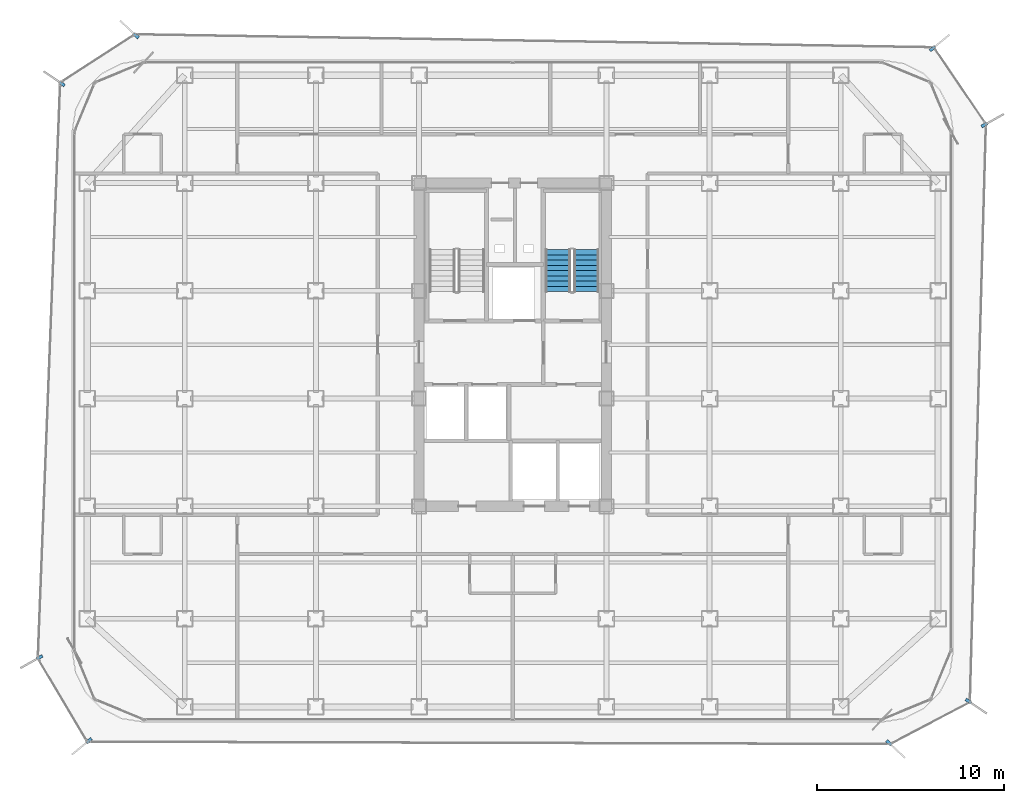
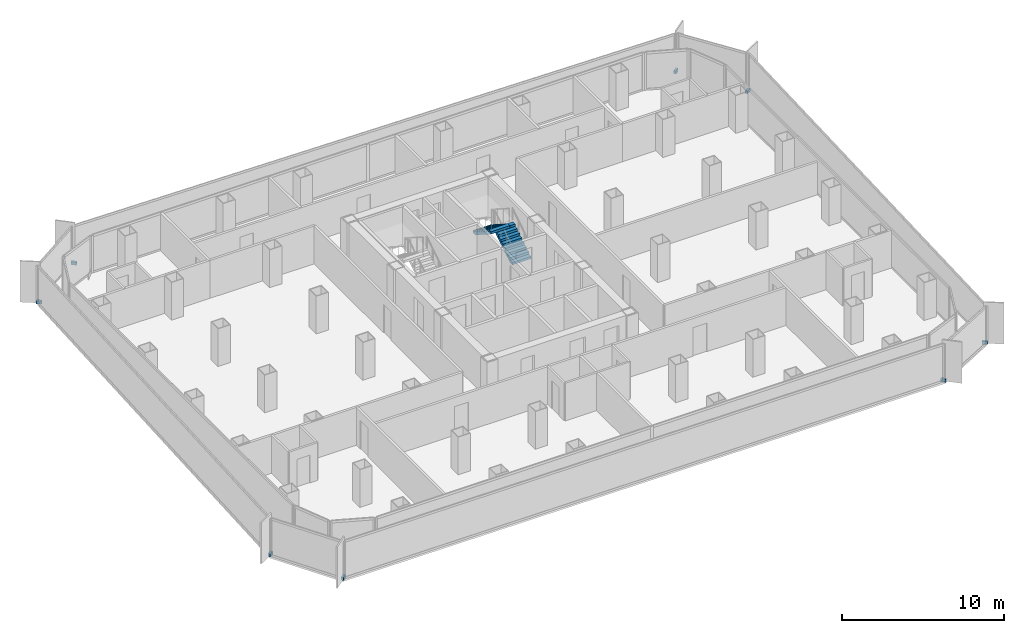
# One storey, part 18 of 21: 8 discrete accessories, 2 stair flights, 1 element without a shape of its own.
"""IFC4 building model written with IfcOpenShell, lengths in metres."""

from ifc_helpers import new_model, si_unit, direction, frame, origin, origin_2d, place, context, subcontext, project, spatial, polyline, rectangle, outline, extrude, source, transform, mapped, material, layer, layer_set, type_object, element, aggregate, save


model = new_model("IFC4")

# Units and contexts
model_context = context("Model", 3, precision=1e-05, world=origin(), true_north=direction((0.0, 1.0)))
body_context = subcontext(model_context, "Body", "Model", "MODEL_VIEW")
ifc_project = project(units=[si_unit("LENGTHUNIT", "METRE"), si_unit("AREAUNIT", "SQUARE_METRE"), si_unit("VOLUMEUNIT", "CUBIC_METRE"), si_unit("PLANEANGLEUNIT", "RADIAN"), si_unit("MASSUNIT", "GRAM", prefix="KILO")], contexts=[model_context])

# Site, building, storey
site_placement = place(None, origin())
site = spatial("IfcSite", under=ifc_project, at=site_placement, CompositionType="ELEMENT")
building_placement = place(site_placement, origin())
building = spatial("IfcBuilding", under=site, at=building_placement, Name="Kolveth Station Tower", CompositionType="ELEMENT")
storey_placement = place(building_placement, frame((0.0, 0.0, 140.699951171875)))
storey = spatial("IfcBuildingStorey", under=building, at=storey_placement, Name="L39", CompositionType="ELEMENT", Elevation=140.699951171875)

# Stair, stair flights
ifc_material_1 = material(Name="Concrete C40/50", Category="concrete")
stair_type = type_object("IfcStairType", Name="Stair_ST2", PredefinedType="HALF_TURN_STAIR", material=ifc_material_1)
stair_placement = place(storey_placement, origin())
stair = element("IfcStair", 1, at=stair_placement, inside=storey, type_object=stair_type, Name="L39 Tower Exit Stair ST2", PredefinedType="HALF_TURN_STAIR")
ifc_layer = layer(ifc_material_1, 0.179931640625)
ifc_layer_set = layer_set([ifc_layer], Name="Concrete C40/50")
stair_flight_type = type_object("IfcStairFlightType", Name="Flight_ST2", PredefinedType="STRAIGHT", material=ifc_layer_set)
stair_flight_1_placement = place(storey_placement, frame((27.425048828125, 22.949951171875, 0.0), z_axis=(0.0, 0.0, 1.0), x_axis=(0.0, 1.0, 0.0)))
stair_flight_1 = element("IfcStairFlight", 2, at=stair_flight_1_placement, type_object=stair_flight_type, Name="ST2 flight 1", NumberOfRisers=9, NumberOfTreads=8, PredefinedType="STRAIGHT", RiserHeight=0.177777778, TreadLength=0.28, context=body_context, shape_type="SweptSolid", body=[
    extrude(outline(polyline([(0.0, 0.0), (0.0, 0.177734375), (0.280029296875, 0.177734375), (0.280029296875, 0.35546875), (0.56005859375, 0.35546875), (0.56005859375, 0.533447265625), (0.840087890625, 0.533447265625), (0.840087890625, 0.711181640625), (1.1201171875, 0.711181640625), (1.1201171875, 0.888916015625), (1.39990234375, 0.888916015625), (1.39990234375, 1.066650390625), (1.679931640625, 1.066650390625), (1.679931640625, 1.244384765625), (1.9599609375, 1.244384765625), (1.9599609375, 1.422119140625), (2.239990234375, 1.422119140625), (2.239990234375, 1.60009765625), (2.239990234375, 1.24462890625), (0.27978515625, 0.0), (0.0, 0.0)])), frame((0.0, 0.675048828125, 0.0), z_axis=(0.0, -1.0, 0.0), x_axis=(1.0, 0.0, 0.0)), (0.0, 0.0, 1.0), 1.35009765625),
])
stair_flight_2_placement = place(storey_placement, frame((25.9150390625, 25.18994140625, 1.60009765625), z_axis=(0.0, 0.0, 1.0), x_axis=(0.0, -1.0, 0.0)))
stair_flight_2 = element("IfcStairFlight", 3, at=stair_flight_2_placement, type_object=stair_flight_type, Name="ST2 flight 2", NumberOfRisers=9, NumberOfTreads=8, PredefinedType="STRAIGHT", RiserHeight=0.177777778, TreadLength=0.28, context=body_context, shape_type="SweptSolid", body=[
    extrude(outline(polyline([(0.0, 0.0), (0.0, 0.177734375), (0.280029296875, 0.177734375), (0.280029296875, 0.35546875), (0.56005859375, 0.35546875), (0.56005859375, 0.533447265625), (0.840087890625, 0.533447265625), (0.840087890625, 0.711181640625), (1.1201171875, 0.711181640625), (1.1201171875, 0.888916015625), (1.39990234375, 0.888916015625), (1.39990234375, 1.066650390625), (1.679931640625, 1.066650390625), (1.679931640625, 1.244384765625), (1.9599609375, 1.244384765625), (1.9599609375, 1.422119140625), (2.239990234375, 1.422119140625), (2.239990234375, 1.60009765625), (2.239990234375, 1.24462890625), (0.27978515625, 0.0), (0.0, 0.0)])), frame((0.0, 0.675048828125, 0.0), z_axis=(0.0, -1.0, 0.0), x_axis=(1.0, 0.0, 0.0)), (0.0, 0.0, 1.0), 1.35009765625),
])
aggregate(stair, [stair_flight_1, stair_flight_2])

# Discrete accessories
ifc_material_2 = material(Name="Steel S355", Category="steel")
discrete_accessory_type = type_object("IfcDiscreteAccessoryType", Name="Bracket_BK1", PredefinedType="BRACKET", material=ifc_material_2)
shared_shape = source(origin(), body_context, "Body", "SweptSolid", [
    extrude(rectangle(XDim=0.35009765625, YDim=0.159912109375, at=origin_2d()), origin(), (0.0, 0.0, 1.0), 0.219970703125),
])
for number, where, z_axis, x_axis, name in (
    (4, (43.572021484375, -1.12109375, -0.06005859375), (0.0, 0.0, 1.0), (0.730400739673, -0.683018857343, 0.0), "L39 Double-Skin Radial Tie Bracket 1"),
    (5, (47.81396484375, 1.10595703125, -0.06005859375), (0.0, 0.0, 1.0), (0.826786154745, -0.562516359159, 0.0), "L39 Double-Skin Radial Tie Bracket 2"),
    (6, (48.666015625, 31.85107421875, -0.06005859375), (0.0, 0.0, 1.0), (0.870870883366, 0.491511855915, 0.0), "L39 Double-Skin Radial Tie Bracket 3"),
    (7, (45.89697265625, 35.923095703125, -0.06005859375), (0.0, 0.0, 1.0), (0.774834166979, 0.632164546366, 0.0), "L39 Double-Skin Radial Tie Bracket 4"),
    (8, (3.405029296875, 36.60888671875, -0.06005859375), (0.0, 0.0, 1.0), (-0.727413564262, 0.686199319824, 0.0), "L39 Double-Skin Radial Tie Bracket 5"),
    (9, (-0.556884765625, 34.0458984375, -0.06005859375), (0.0, 0.0, 1.0), (-0.826294951862, 0.563237651908, 0.0), "L39 Double-Skin Radial Tie Bracket 6"),
    (10, (-1.743896484375, 3.43896484375, -0.06005859375), (0.0, 0.0, 1.0), (-0.871385115776, -0.490599612724, 0.0), "L39 Double-Skin Radial Tie Bracket 7"),
    (11, (0.885986328125, -1.001953125, -0.06005859375), (0.0, 0.0, 1.0), (-0.771402503197, -0.636347529312, 0.0), "L39 Double-Skin Radial Tie Bracket 8"),
):
    element("IfcDiscreteAccessory", number, at=place(storey_placement, frame(where, z_axis=z_axis, x_axis=x_axis)), inside=storey, type_object=discrete_accessory_type, Name=name, PredefinedType="BRACKET", context=body_context, shape_type="MappedRepresentation", body=[
        mapped(shared_shape, transform((0.0, 0.0, 0.0), x_axis=(1.0, 0.0, 0.0), y_axis=(0.0, 1.0, 0.0), z_axis=(0.0, 0.0, 1.0), scale=1.0)),
    ])

save(model, "model.ifc")
